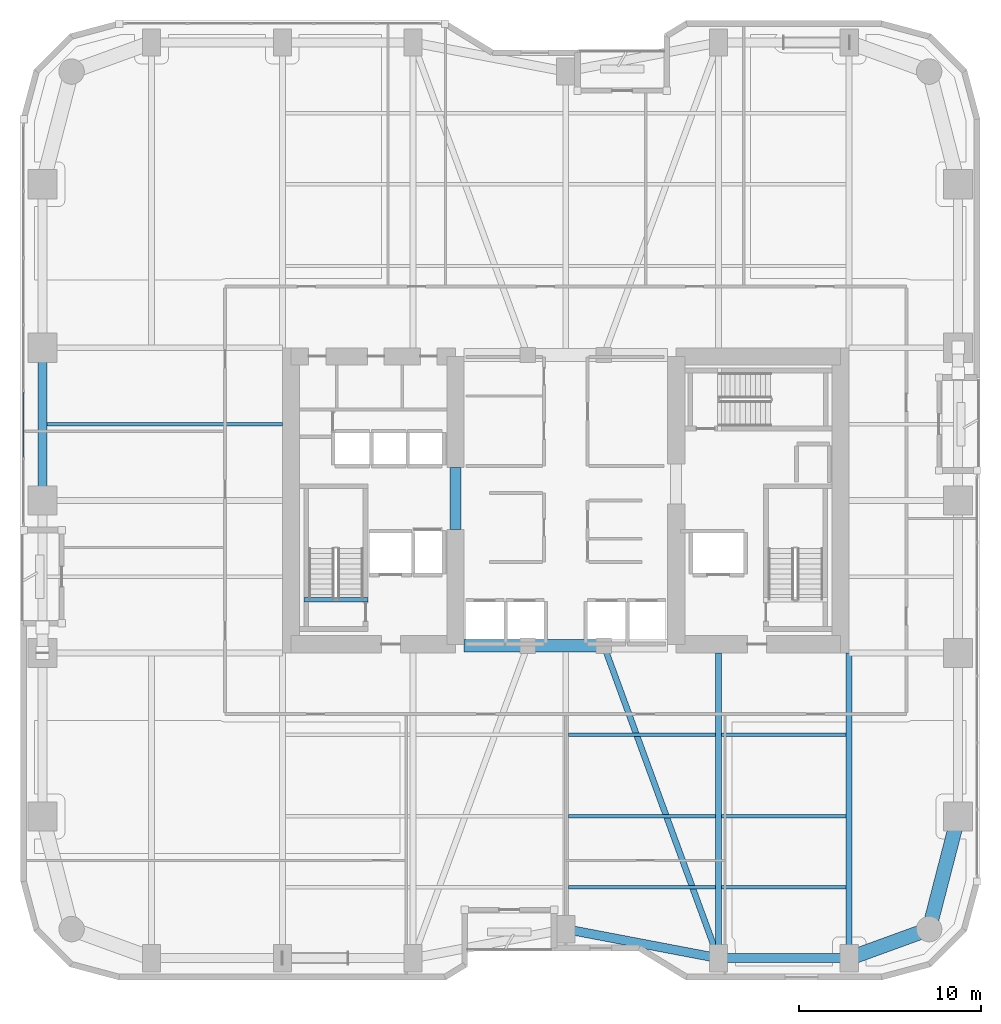
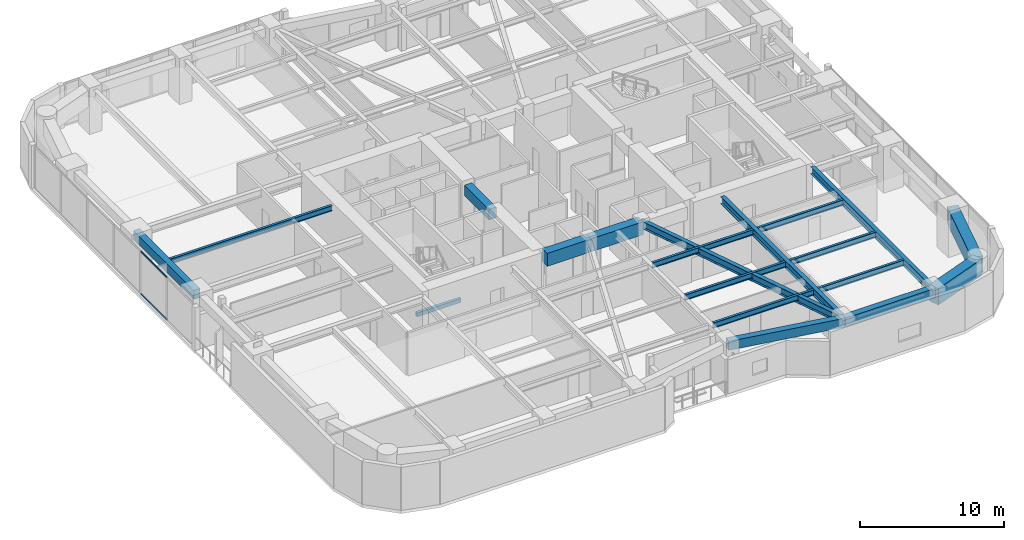
# One storey, part 3 of 24: 19 beams, 2 members, 1 element without a shape of its own.
"""IFC4 building model written with IfcOpenShell, lengths in metres."""

from ifc_helpers import new_model, si_unit, direction, frame, origin, origin_2d, place, context, subcontext, project, spatial, rectangle, hollow_rectangle, i_section, extrude, material, layer, layer_set, material_profile, profile_set, type_object, element, aggregate, save


model = new_model("IFC4")

# Units and contexts
model_context = context("Model", 3, precision=1e-05, world=origin(), true_north=direction((0.0, 1.0)))
body_context = subcontext(model_context, "Body", "Model", "MODEL_VIEW")
ifc_project = project(units=[si_unit("LENGTHUNIT", "METRE"), si_unit("AREAUNIT", "SQUARE_METRE"), si_unit("VOLUMEUNIT", "CUBIC_METRE"), si_unit("PLANEANGLEUNIT", "RADIAN"), si_unit("MASSUNIT", "GRAM", prefix="KILO")], contexts=[model_context])

# Site, building, storey
site_placement = place(None, origin())
site = spatial("IfcSite", under=ifc_project, at=site_placement, CompositionType="ELEMENT")
building_placement = place(site_placement, origin())
building = spatial("IfcBuilding", under=site, at=building_placement, Name="Kiyonajd Concourse Tower", CompositionType="ELEMENT")
storey_placement = place(building_placement, frame((0.0, 0.0, 85.800048828125)))
storey = spatial("IfcBuildingStorey", under=building, at=storey_placement, Name="L22", CompositionType="ELEMENT", Elevation=85.800048828125)

# Beams
ifc_material_1 = material(Name="Concrete C70/85", Category="concrete")
ifc_material_profile_1 = material_profile(ifc_material_1, rectangle(XDim=0.699951171875, YDim=1.10009765625, at=origin_2d()), Name="RCBM-700x1100")
ifc_profile_set_1 = profile_set([ifc_material_profile_1], Name="Concrete C70/85")
beam_type_1 = type_object("IfcBeamType", Name="BM-COUP-1100", PredefinedType="LINTEL", material=ifc_profile_set_1)
beam_1_placement = place(storey_placement, frame((42.39990234375, 28.0, 3.08984375), z_axis=(1.0, 0.0, 0.0), x_axis=(0.0, 1.0, 0.0)))
element("IfcBeam", 1, at=beam_1_placement, inside=storey, type_object=beam_type_1, Name="L22 Core Coupling Beam S1", PredefinedType="LINTEL", context=body_context, shape_type="SweptSolid", body=[
    extrude(rectangle(XDim=0.699951171875, YDim=1.10009765625, at=origin_2d()), origin(), (0.0, 0.0, 1.0), 3.5),
])
beam_2_placement = place(storey_placement, frame((45.89990234375, 28.0, 3.08984375), z_axis=(1.0, 0.0, 0.0), x_axis=(0.0, 1.0, 0.0)))
element("IfcBeam", 2, at=beam_2_placement, inside=storey, type_object=beam_type_1, Name="L22 Core Coupling Beam S2", PredefinedType="LINTEL", context=body_context, shape_type="SweptSolid", body=[
    extrude(rectangle(XDim=0.699951171875, YDim=1.10009765625, at=origin_2d()), origin(), (0.0, 0.0, 1.0), 4.2001953125),
])
ifc_material_2 = material(Name="Concrete C60/75", Category="concrete")
ifc_material_profile_2 = material_profile(ifc_material_2, rectangle(XDim=0.60009765625, YDim=0.89990234375, at=origin_2d()), Name="RCBM-600x900")
ifc_profile_set_2 = profile_set([ifc_material_profile_2], Name="Concrete C60/75")
beam_type_2 = type_object("IfcBeamType", Name="BM-COUP-900", PredefinedType="LINTEL", material=ifc_profile_set_2)
beam_3_placement = place(storey_placement, frame((41.925048828125, 34.39990234375, 3.08984375), z_axis=(0.0, 1.0, 0.0), x_axis=(-1.0, 0.0, 0.0)))
element("IfcBeam", 3, at=beam_3_placement, inside=storey, type_object=beam_type_2, Name="L22 West Core Throat Coupling Lintel", PredefinedType="LINTEL", context=body_context, shape_type="SweptSolid", body=[
    extrude(rectangle(XDim=0.60009765625, YDim=0.89990234375, at=origin_2d()), origin(), (0.0, 0.0, 1.0), 3.400146484375),
])
ifc_material_3 = material(Name="Steel ASTM A992 Grade 50", Category="steel")
ifc_material_profile_3 = material_profile(ifc_material_3, i_section(OverallWidth=0.19189453125, OverallDepth=0.462890625, WebThickness=0.010498046875, FlangeThickness=0.017578125, at=origin_2d()), Name="W460X89")
ifc_profile_set_3 = profile_set([ifc_material_profile_3], Name="Steel ASTM A992 Grade 50")
beam_type_3 = type_object("IfcBeamType", Name="BM-JST-460B", PredefinedType="JOIST", material=ifc_profile_set_3)
beam_4_placement = place(storey_placement, frame((48.16357421875, 14.699951171875, 3.408447265625), z_axis=(1.0, 0.0, 0.0), x_axis=(0.0, 1.0, 0.0)))
element("IfcBeam", 4, at=beam_4_placement, inside=storey, type_object=beam_type_3, Name="L22 Secondary Floor Joist", PredefinedType="JOIST", context=body_context, shape_type="SweptSolid", body=[
    extrude(i_section(OverallWidth=0.19189453125, OverallDepth=0.462890625, WebThickness=0.010498046875, FlangeThickness=0.017578125, at=origin_2d()), origin(), (0.0, 0.0, 1.0), 8.072998046875),
])
beam_5_placement = place(storey_placement, frame((56.5634765625, 14.699951171875, 3.408447265625), z_axis=(1.0, 0.0, 0.0), x_axis=(0.0, 1.0, 0.0)))
element("IfcBeam", 5, at=beam_5_placement, inside=storey, type_object=beam_type_3, Name="L22 Secondary Floor Joist", PredefinedType="JOIST", context=body_context, shape_type="SweptSolid", body=[
    extrude(i_section(OverallWidth=0.19189453125, OverallDepth=0.462890625, WebThickness=0.010498046875, FlangeThickness=0.017578125, at=origin_2d()), origin(), (0.0, 0.0, 1.0), 6.873046875),
])
beam_6_placement = place(storey_placement, frame((48.16357421875, 18.60009765625, 3.408447265625), z_axis=(1.0, 0.0, 0.0), x_axis=(0.0, 1.0, 0.0)))
element("IfcBeam", 6, at=beam_6_placement, inside=storey, type_object=beam_type_3, Name="L22 Secondary Floor Joist", PredefinedType="JOIST", context=body_context, shape_type="SweptSolid", body=[
    extrude(i_section(OverallWidth=0.19189453125, OverallDepth=0.462890625, WebThickness=0.010498046875, FlangeThickness=0.017578125, at=origin_2d()), origin(), (0.0, 0.0, 1.0), 8.072998046875),
])
beam_7_placement = place(storey_placement, frame((56.5634765625, 18.60009765625, 3.408447265625), z_axis=(1.0, 0.0, 0.0), x_axis=(0.0, 1.0, 0.0)))
element("IfcBeam", 7, at=beam_7_placement, inside=storey, type_object=beam_type_3, Name="L22 Secondary Floor Joist", PredefinedType="JOIST", context=body_context, shape_type="SweptSolid", body=[
    extrude(i_section(OverallWidth=0.19189453125, OverallDepth=0.462890625, WebThickness=0.010498046875, FlangeThickness=0.017578125, at=origin_2d()), origin(), (0.0, 0.0, 1.0), 6.873046875),
])
beam_8_placement = place(storey_placement, frame((48.16357421875, 23.10009765625, 3.408447265625), z_axis=(1.0, 0.0, 0.0), x_axis=(0.0, 1.0, 0.0)))
element("IfcBeam", 8, at=beam_8_placement, inside=storey, type_object=beam_type_3, Name="L22 Secondary Floor Joist", PredefinedType="JOIST", context=body_context, shape_type="SweptSolid", body=[
    extrude(i_section(OverallWidth=0.19189453125, OverallDepth=0.462890625, WebThickness=0.010498046875, FlangeThickness=0.017578125, at=origin_2d()), origin(), (0.0, 0.0, 1.0), 8.072998046875),
])
beam_9_placement = place(storey_placement, frame((56.5634765625, 23.10009765625, 3.408447265625), z_axis=(1.0, 0.0, 0.0), x_axis=(0.0, 1.0, 0.0)))
element("IfcBeam", 9, at=beam_9_placement, inside=storey, type_object=beam_type_3, Name="L22 Secondary Floor Joist", PredefinedType="JOIST", context=body_context, shape_type="SweptSolid", body=[
    extrude(i_section(OverallWidth=0.19189453125, OverallDepth=0.462890625, WebThickness=0.010498046875, FlangeThickness=0.017578125, at=origin_2d()), origin(), (0.0, 0.0, 1.0), 6.873046875),
])
beam_10_placement = place(storey_placement, frame((19.449951171875, 40.199951171875, 3.408447265625), z_axis=(1.0, 0.0, 0.0), x_axis=(0.0, 1.0, 0.0)))
element("IfcBeam", 10, at=beam_10_placement, inside=storey, type_object=beam_type_3, Name="L22 West Secondary Floor Joist", PredefinedType="JOIST", context=body_context, shape_type="SweptSolid", body=[
    extrude(i_section(OverallWidth=0.19189453125, OverallDepth=0.462890625, WebThickness=0.010498046875, FlangeThickness=0.017578125, at=origin_2d()), origin(), (0.0, 0.0, 1.0), 12.949951171875),
])
ifc_material_4 = material(Name="Concrete C50/60", Category="concrete")
ifc_material_profile_4 = material_profile(ifc_material_4, rectangle(XDim=0.239990234375, YDim=0.320068359375, at=origin_2d()), Name="RCBM-240x320")
ifc_profile_set_4 = profile_set([ifc_material_profile_4], Name="Concrete C50/60")
beam_type_4 = type_object("IfcBeamType", Name="BM-LNT-250", PredefinedType="LINTEL", material=ifc_profile_set_4)
beam_11_placement = place(storey_placement, frame((33.590087890625, 30.530029296875, -0.16015625), z_axis=(1.0, 0.0, 0.0), x_axis=(0.0, 1.0, 0.0)))
element("IfcBeam", 11, at=beam_11_placement, inside=storey, type_object=beam_type_4, Name="L22 Stair ST1 Threshold Support Beam", PredefinedType="LINTEL", context=body_context, shape_type="SweptSolid", body=[
    extrude(rectangle(XDim=0.239990234375, YDim=0.320068359375, at=origin_2d()), origin(), (0.0, 0.0, 1.0), 3.52001953125),
])
ifc_material_5 = material(Name="Precast concrete C50/60", Category="concrete")
ifc_material_profile_5 = material_profile(ifc_material_5, rectangle(XDim=0.5, YDim=0.75, at=origin_2d()), Name="RCBM-500x750")
ifc_profile_set_5 = profile_set([ifc_material_profile_5], Name="Precast concrete C50/60")
beam_type_5 = type_object("IfcBeamType", Name="BM-SPAN-RC", PredefinedType="SPANDREL", material=ifc_profile_set_5)
beam_12_placement = place(storey_placement, frame((48.0, 12.39990234375, 3.264892578125), z_axis=(0.982341315253, -0.187097675953, 0.0), x_axis=(0.187097675953, 0.982341315253, 0.0)))
element("IfcBeam", 12, at=beam_12_placement, inside=storey, type_object=beam_type_5, Name="L22 Perimeter Bundled Tube Spandrel", PredefinedType="SPANDREL", context=body_context, shape_type="SweptSolid", body=[
    extrude(rectangle(XDim=0.5, YDim=0.75, at=origin_2d()), origin(), (0.0, 0.0, 1.0), 8.55078125),
])
beam_13_placement = place(storey_placement, frame((56.39990234375, 10.800048828125, 3.264892578125), z_axis=(1.0, 0.0, 0.0), x_axis=(0.0, 1.0, 0.0)))
element("IfcBeam", 13, at=beam_13_placement, inside=storey, type_object=beam_type_5, Name="L22 Perimeter Bundled Tube Spandrel", PredefinedType="SPANDREL", context=body_context, shape_type="SweptSolid", body=[
    extrude(rectangle(XDim=0.5, YDim=0.75, at=origin_2d()), origin(), (0.0, 0.0, 1.0), 7.2001953125),
])
beam_14_placement = place(storey_placement, frame((19.199951171875, 44.39990234375, 3.264892578125), z_axis=(0.0, -1.0, 0.0), x_axis=(1.0, 0.0, 0.0)))
element("IfcBeam", 14, at=beam_14_placement, inside=storey, type_object=beam_type_5, Name="L22 Perimeter Bundled Tube Spandrel", PredefinedType="SPANDREL", context=body_context, shape_type="SweptSolid", body=[
    extrude(rectangle(XDim=0.5, YDim=0.75, at=origin_2d()), origin(), (0.0, 0.0, 1.0), 8.39990234375),
])
ifc_material_profile_6 = material_profile(ifc_material_3, i_section(OverallWidth=0.326904296875, OverallDepth=0.6220703125, WebThickness=0.015380859375, FlangeThickness=0.0244140625, at=origin_2d()), Name="W610X195")
ifc_profile_set_6 = profile_set([ifc_material_profile_6], Name="Steel ASTM A992 Grade 50")
beam_type_6 = type_object("IfcBeamType", Name="BM-TWR-610A", PredefinedType="BEAM", material=ifc_profile_set_6)
beam_15_placement = place(storey_placement, frame((50.10009765625, 28.0, 3.328857421875), z_axis=(0.343925269715, -0.938997022813, 0.0), x_axis=(0.938997022813, 0.343925269715, 0.0)))
element("IfcBeam", 15, at=beam_15_placement, inside=storey, type_object=beam_type_6, Name="L22 Core Tie Girder", PredefinedType="BEAM", context=body_context, shape_type="SweptSolid", body=[
    extrude(i_section(OverallWidth=0.326904296875, OverallDepth=0.6220703125, WebThickness=0.015380859375, FlangeThickness=0.0244140625, at=origin_2d()), origin(), (0.0, 0.0, 1.0), 18.3173828125),
])
for number, where, z_axis, x_axis, name in (
    (16, (56.39990234375, 10.800048828125, 3.328857421875), (0.0, 1.0, 0.0), (-1.0, 0.0, 0.0), "L22 South Lease Girder"),
    (17, (63.60009765625, 10.800048828125, 3.328857421875), (0.0, 1.0, 0.0), (-1.0, 0.0, 0.0), "L22 South Lease Girder"),
):
    element("IfcBeam", number, at=place(storey_placement, frame(where, z_axis=z_axis, x_axis=x_axis)), inside=storey, type_object=beam_type_6, Name=name, PredefinedType="BEAM", context=body_context, shape_type="SweptSolid", body=[
        extrude(i_section(OverallWidth=0.326904296875, OverallDepth=0.6220703125, WebThickness=0.015380859375, FlangeThickness=0.0244140625, at=origin_2d()), origin(), (0.0, 0.0, 1.0), 16.800048828125),
    ])
ifc_material_profile_7 = material_profile(ifc_material_2, rectangle(XDim=0.800048828125, YDim=1.39990234375, at=origin_2d()), Name="RCBM-800x1400")
ifc_profile_set_7 = profile_set([ifc_material_profile_7], Name="Concrete C60/75")
beam_type_7 = type_object("IfcBeamType", Name="BM-XFER-RC", PredefinedType="BEAM", material=ifc_profile_set_7)
beam_16_placement = place(storey_placement, frame((63.60009765625, 10.800048828125, 2.93994140625), z_axis=(0.939801036019, 0.341722127901, 0.0), x_axis=(-0.341722127901, 0.939801036019, 0.0)))
element("IfcBeam", 18, at=beam_16_placement, inside=storey, type_object=beam_type_7, Name="L22 Perimeter Bundled Tube Spandrel", PredefinedType="BEAM", context=body_context, shape_type="SweptSolid", body=[
    extrude(rectangle(XDim=0.800048828125, YDim=1.39990234375, at=origin_2d()), origin(), (0.0, 0.0, 1.0), 4.681640625),
])
beam_17_placement = place(storey_placement, frame((68.0, 12.39990234375, 2.93994140625), z_axis=(0.249884937687, 0.968275538221, 0.0), x_axis=(-0.968275538221, 0.249884937687, 0.0)))
element("IfcBeam", 19, at=beam_17_placement, inside=storey, type_object=beam_type_7, Name="L22 Perimeter Bundled Tube Spandrel", PredefinedType="BEAM", context=body_context, shape_type="SweptSolid", body=[
    extrude(rectangle(XDim=0.800048828125, YDim=1.39990234375, at=origin_2d()), origin(), (0.0, 0.0, 1.0), 6.4033203125),
])

# Curtain wall, members
ifc_material_6 = material(Name="Thermally Broken Anodised Aluminium", Category="aluminium")
ifc_layer = layer(ifc_material_6, 0.179931640625)
ifc_layer_set = layer_set([ifc_layer], Name="Thermally Broken Anodised Aluminium")
curtain_wall_type = type_object("IfcCurtainWallType", Name="CW-SYS-03", PredefinedType="NOTDEFINED", material=ifc_layer_set)
curtain_wall_placement = place(storey_placement, origin())
curtain_wall = element("IfcCurtainWall", 20, at=curtain_wall_placement, inside=storey, type_object=curtain_wall_type, Name="L22 Unitised Curtain Wall CW3", PredefinedType="NOTDEFINED")
ifc_material_profile_8 = material_profile(ifc_material_6, hollow_rectangle(XDim=0.06494140625, YDim=0.139892578125, WallThickness=0.00390625, at=origin_2d()), Name="TRAN-65x140")
ifc_profile_set_8 = profile_set([ifc_material_profile_8], Name="Thermally Broken Anodised Aluminium")
member_type = type_object("IfcMemberType", Name="MB-CW-TRAN1", PredefinedType="USERDEFINED", material=ifc_profile_set_8)
member_1_placement = place(storey_placement, frame((18.159912109375, 38.355712890625, 0.032470703125), z_axis=(0.0, 1.0, 0.0), x_axis=(-1.0, 0.0, 0.0)))
member_1 = element("IfcMember", 21, at=member_1_placement, type_object=member_type, Name="CW3 transom 2.1", ObjectType="TRANSOM", PredefinedType="USERDEFINED", context=body_context, shape_type="SweptSolid", body=[
    extrude(hollow_rectangle(XDim=0.06494140625, YDim=0.139892578125, WallThickness=0.00390625, at=origin_2d()), origin(), (0.0, 0.0, 1.0), 3.608154296875),
])
member_2_placement = place(storey_placement, frame((18.159912109375, 38.355712890625, 3.607421875), z_axis=(0.0, 1.0, 0.0), x_axis=(-1.0, 0.0, 0.0)))
member_2 = element("IfcMember", 22, at=member_2_placement, type_object=member_type, Name="CW3 transom 2.2", ObjectType="TRANSOM", PredefinedType="USERDEFINED", context=body_context, shape_type="SweptSolid", body=[
    extrude(hollow_rectangle(XDim=0.06494140625, YDim=0.139892578125, WallThickness=0.00390625, at=origin_2d()), origin(), (0.0, 0.0, 1.0), 3.608154296875),
])
aggregate(curtain_wall, [member_1, member_2])

save(model, "model.ifc")
